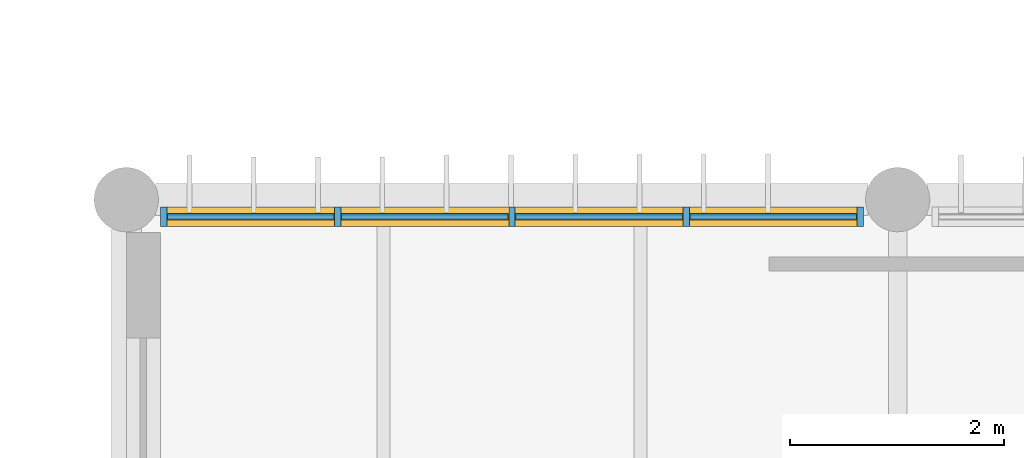
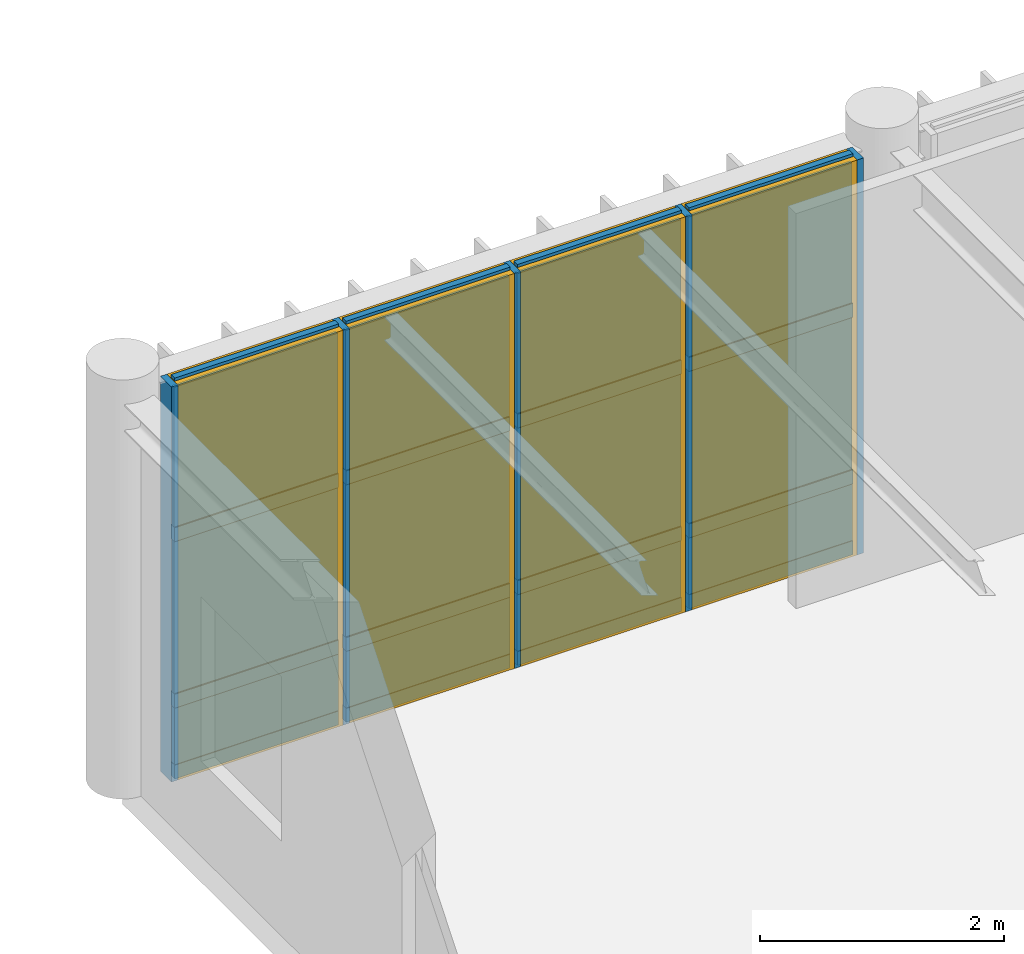
# One storey, part 59 of 104: 21 members, 12 plates, 1 curtain wall.
"""IFC4 building model written with IfcOpenShell, lengths in metres."""

import ifcopenshell
import ifcopenshell.guid

model = None  # the IFC model being written
_history = None  # IfcOwnerHistory: only IFC2X3 demands one
_inside = {}  # id of a spatial element -> (the spatial element, [elements in it])
_under = {}  # id of a project, library or spatial element -> (it, [spatial elements below it])
_declared = {}  # id of a project -> (the project, [libraries it declares])
_typed = {}  # id of a type object -> (the type object, [elements of that type])
_made_of = {}  # id of a material, layer set ... -> (it, [elements and type objects made of it])


def new_model(schema):
    """Start an empty IFC model of exactly this schema.

    Asked for "IFC4X3", IfcOpenShell would pick the latest addendum, in which some entities
    have other attributes; the version numbers below select the first issue.
    IFC2X3 requires an IfcOwnerHistory on every rooted entity: one is made here for all.
    """
    global model, _history
    if schema == "IFC4X3":
        model = ifcopenshell.file(schema_version=(4, 3, 0, 0))
    else:
        model = ifcopenshell.file(schema=schema)
    _inside.clear()
    _under.clear()
    _declared.clear()
    _typed.clear()
    _made_of.clear()
    _history = None
    if model.schema == "IFC2X3":
        org = make("IfcOrganization", Name="unknown")
        user = make(
            "IfcPersonAndOrganization",
            ThePerson=make("IfcPerson", FamilyName="unknown"),
            TheOrganization=org,
        )
        app = make(
            "IfcApplication",
            ApplicationDeveloper=org,
            Version="unknown",
            ApplicationFullName="unknown",
            ApplicationIdentifier="unknown",
        )
        _history = make(
            "IfcOwnerHistory",
            OwningUser=user,
            OwningApplication=app,
            ChangeAction="ADDED",
            CreationDate=0,
        )
    return model


def make(cls, **values):
    """One entity of the class cls with the attributes given. An attribute that is None is left unset."""
    return model.create_entity(
        cls, **{name: value for name, value in values.items() if value is not None}
    )


def rooted(cls, **values):
    """An entity with a GlobalId (a new one), such as an element, a storey or a relation."""
    return make(cls, GlobalId=ifcopenshell.guid.new(), OwnerHistory=_history, **values)


def si_unit(unit_type, name, prefix=None):
    """IfcSIUnit, for example si_unit("LENGTHUNIT", "METRE", prefix="MILLI")."""
    return make("IfcSIUnit", UnitType=unit_type, Prefix=prefix, Name=name)


def assignment(units):
    """IfcUnitAssignment: the units of a project."""
    return None if units is None else make("IfcUnitAssignment", Units=units)


def point(xyz):
    """IfcCartesianPoint."""
    return None if xyz is None else make("IfcCartesianPoint", Coordinates=xyz)


def direction(xyz):
    """IfcDirection."""
    return None if xyz is None else make("IfcDirection", DirectionRatios=xyz)


def frame(location, z_axis=None, x_axis=None):
    """IfcAxis2Placement3D, a coordinate frame: its origin and axes. An axis left out is left unset."""
    return make(
        "IfcAxis2Placement3D",
        Location=point(location),
        Axis=direction(z_axis),
        RefDirection=direction(x_axis),
    )


def frame_2d(location, x_axis=None):
    """IfcAxis2Placement2D, a coordinate frame in the plane: its origin and x axis."""
    return make(
        "IfcAxis2Placement2D", Location=point(location), RefDirection=direction(x_axis)
    )


def origin():
    """The frame at (0, 0, 0) with its axes left unset."""
    return frame((0.0, 0.0, 0.0))


def origin_2d():
    """The frame at (0, 0) in the plane with its x axis left unset."""
    return frame_2d((0.0, 0.0))


def place(relative_to, where):
    """IfcLocalPlacement: puts the frame where relative to a parent placement (None: the world)."""
    return make(
        "IfcLocalPlacement", PlacementRelTo=relative_to, RelativePlacement=where
    )


def context(
    kind, dimensions, precision=None, world=None, true_north=None, identifier=None
):
    """IfcGeometricRepresentationContext, for example the 3D "Model" context."""
    return make(
        "IfcGeometricRepresentationContext",
        ContextIdentifier=identifier,
        ContextType=kind,
        CoordinateSpaceDimension=dimensions,
        Precision=precision,
        WorldCoordinateSystem=world,
        TrueNorth=true_north,
    )


def subcontext(parent, identifier, kind, view, scale=None):
    """IfcGeometricRepresentationSubContext, for example "Body" below "Model"."""
    return make(
        "IfcGeometricRepresentationSubContext",
        ContextIdentifier=identifier,
        ContextType=kind,
        ParentContext=parent,
        TargetScale=scale,
        TargetView=view,
    )


def project(units=None, contexts=None):
    """IfcProject with its units and contexts."""
    return rooted(
        "IfcProject",
        Name="project",
        RepresentationContexts=contexts,
        UnitsInContext=assignment(units),
    )


def spatial(cls, under=None, at=None, **own):
    """A site, building, storey or space (cls), placed at a placement, below another one or the project."""
    s = rooted(cls, ObjectPlacement=at, **own)
    if under is not None:
        _under.setdefault(under.id(), (under, []))[1].append(s)
    return s


def profile(cls, at=None, kind="AREA", **sizes):
    """A parametric profile (cls). Its sizes go by their IFC names, for example OverallWidth=200.0."""
    return make(cls, ProfileType=kind, Position=at, **sizes)


def rectangle(**sizes):
    """IfcRectangleProfileDef."""
    return profile("IfcRectangleProfileDef", **sizes)


def extrude(swept, where, along, depth):
    """IfcExtrudedAreaSolid: the profile swept, set in the frame where, extruded along a direction by depth."""
    return make(
        "IfcExtrudedAreaSolid",
        SweptArea=swept,
        Position=where,
        ExtrudedDirection=direction(along),
        Depth=depth,
    )


def shape(context_of_items, identifier, shape_type, items):
    """IfcShapeRepresentation: the items that make up one representation, for example the "Body"."""
    return make(
        "IfcShapeRepresentation",
        ContextOfItems=context_of_items,
        RepresentationIdentifier=identifier,
        RepresentationType=shape_type,
        Items=items,
    )


def material(Name=None, Category=None):
    """IfcMaterial."""
    return make("IfcMaterial", Name=Name, Category=Category)


def layer(
    of_material, thickness, ventilated=None, Name=None, Category=None, Priority=None
):
    """IfcMaterialLayer: one layer of a wall or slab, of a material (None: an air gap)."""
    return make(
        "IfcMaterialLayer",
        Material=of_material,
        LayerThickness=thickness,
        IsVentilated=ventilated,
        Name=Name,
        Category=Category,
        Priority=Priority,
    )


def layer_set(layers, Name=None):
    """IfcMaterialLayerSet."""
    return make("IfcMaterialLayerSet", MaterialLayers=layers, LayerSetName=Name)


def material_profile(
    of_material, cross_section, Name=None, Category=None, Priority=None
):
    """IfcMaterialProfile: a cross section and its material."""
    return make(
        "IfcMaterialProfile",
        Name=Name,
        Material=of_material,
        Profile=cross_section,
        Priority=Priority,
        Category=Category,
    )


def profile_set(profiles, Name=None, composite=None):
    """IfcMaterialProfileSet."""
    return make(
        "IfcMaterialProfileSet",
        Name=Name,
        MaterialProfiles=profiles,
        CompositeProfile=composite,
    )


def made_of(thing, what):
    """Note that an element or type object is made of a material, layer set ...; save() writes the relation."""
    if what is not None:
        _made_of.setdefault(what.id(), (what, []))[1].append(thing)
    return thing


def type_object(cls, material=None, **own):
    """A type object (cls), such as IfcWallType, which elements share."""
    return made_of(rooted(cls, **own), material)


def element(
    cls,
    number,
    at=None,
    inside=None,
    cuts=None,
    type_object=None,
    material=None,
    context=None,
    identifier="Body",
    shape_type=None,
    held_by="IfcProductDefinitionShape",
    body=None,
    shapes=None,
    **own,
):
    """One element of the class cls, such as IfcWall. Its Tag is "e" and its number.

    at: its placement. inside: the storey or other place that contains it. cuts: it is an
    opening in that element (IfcRelVoidsElement). A single representation is given by context,
    identifier, shape_type and body (its items); several are given by shapes. held_by: the class
    of the entity that holds the representations. save() writes the other relations.
    """
    e = rooted(cls, Tag="e%d" % number, ObjectPlacement=at, **own)
    if body is not None:
        shapes = [shape(context, identifier, shape_type, body)]
    if shapes is not None:
        e.Representation = make(held_by, Representations=shapes)
    if inside is not None:
        _inside.setdefault(inside.id(), (inside, []))[1].append(e)
    if cuts is not None:
        rooted(
            "IfcRelVoidsElement", RelatingBuildingElement=cuts, RelatedOpeningElement=e
        )
    if type_object is not None:
        _typed.setdefault(type_object.id(), (type_object, []))[1].append(e)
    return made_of(e, material)


def aggregate(whole, parts):
    """IfcRelAggregates: a whole, such as a stair, and the parts it consists of."""
    return rooted("IfcRelAggregates", RelatingObject=whole, RelatedObjects=parts)


def save(model, path):
    """Write the relations noted so far, then the file.

    IfcRelAggregates (storeys below a building ...), IfcRelContainedInSpatialStructure (elements
    in a storey), IfcRelDefinesByType, IfcRelAssociatesMaterial and IfcRelDeclares: one each for
    every whole, place, type object, material and project.
    """
    for whole, parts in _under.values():
        aggregate(whole, parts)
    for where, things in _inside.values():
        rooted(
            "IfcRelContainedInSpatialStructure",
            RelatedElements=things,
            RelatingStructure=where,
        )
    for kind, things in _typed.values():
        rooted("IfcRelDefinesByType", RelatedObjects=things, RelatingType=kind)
    for what, things in _made_of.values():
        rooted("IfcRelAssociatesMaterial", RelatedObjects=things, RelatingMaterial=what)
    for by, libraries in _declared.values():
        rooted("IfcRelDeclares", RelatingContext=by, RelatedDefinitions=libraries)
    model.write(path)


model = new_model("IFC4")

# Units and contexts
model_context = context("Model", 3, precision=1e-05, world=origin(), true_north=direction((0.0, 1.0)))
body_context = subcontext(model_context, "Body", "Model", "MODEL_VIEW")
ifc_project = project(units=[si_unit("LENGTHUNIT", "METRE"), si_unit("AREAUNIT", "SQUARE_METRE"), si_unit("VOLUMEUNIT", "CUBIC_METRE"), si_unit("PLANEANGLEUNIT", "RADIAN"), si_unit("MASSUNIT", "GRAM", prefix="KILO")], contexts=[model_context])

# Member
ifc_material_1 = material(Name="Anodised Bronze Aluminium 6063-T6", Category="aluminium")
ifc_material_profile_1 = material_profile(ifc_material_1, rectangle(XDim=0.06005859375, YDim=0.179931640625, at=origin_2d()), Name="ALU MULLION 60x180")
ifc_profile_set_1 = profile_set([ifc_material_profile_1], Name="Anodised Bronze Aluminium 6063-T6")
member_type_1 = type_object("IfcMemberType", Name="Curtain-Wall Primary Mullion 60x180", PredefinedType="MULLION", material=ifc_profile_set_1)
site_placement = place(None, origin())
building_placement = place(site_placement, origin())
storey_placement = place(building_placement, frame((0.0, 0.0, 9.0)))
member_1_placement = place(storey_placement, frame((36.35009765625, 30.0400390625, 0.0), z_axis=(0.0, 0.0, 1.0), x_axis=(1.0, 0.0, 0.0)))
member_1 = element("IfcMember", 1, at=member_1_placement, type_object=member_type_1, Name="Mullion CWM-01 CW-V5-NRET-W-L02-B1-M01", PredefinedType="MULLION", context=body_context, shape_type="SweptSolid", body=[
    extrude(rectangle(XDim=0.06005859375, YDim=0.179931640625, at=origin_2d()), origin(), (0.0, 0.0, 1.0), 3.9599609375),
])

member_2_placement = place(storey_placement, frame((37.97509765625, 30.0400390625, 0.0), z_axis=(0.0, 0.0, 1.0), x_axis=(1.0, 0.0, 0.0)))
member_2 = element("IfcMember", 2, at=member_2_placement, type_object=member_type_1, Name="Mullion CWM-01 CW-V5-NRET-W-L02-B1-M02", PredefinedType="MULLION", context=body_context, shape_type="SweptSolid", body=[
    extrude(rectangle(XDim=0.06005859375, YDim=0.179931640625, at=origin_2d()), origin(), (0.0, 0.0, 1.0), 3.9599609375),
])

member_3_placement = place(storey_placement, frame((39.60009765625, 30.0400390625, 0.0), z_axis=(0.0, 0.0, 1.0), x_axis=(1.0, 0.0, 0.0)))
member_3 = element("IfcMember", 3, at=member_3_placement, type_object=member_type_1, Name="Mullion CWM-01 CW-V5-NRET-W-L02-B1-M03", PredefinedType="MULLION", context=body_context, shape_type="SweptSolid", body=[
    extrude(rectangle(XDim=0.06005859375, YDim=0.179931640625, at=origin_2d()), origin(), (0.0, 0.0, 1.0), 3.9599609375),
])

member_4_placement = place(storey_placement, frame((41.22509765625, 30.0400390625, 0.0), z_axis=(0.0, 0.0, 1.0), x_axis=(1.0, 0.0, 0.0)))
member_4 = element("IfcMember", 4, at=member_4_placement, type_object=member_type_1, Name="Mullion CWM-01 CW-V5-NRET-W-L02-B1-M04", PredefinedType="MULLION", context=body_context, shape_type="SweptSolid", body=[
    extrude(rectangle(XDim=0.06005859375, YDim=0.179931640625, at=origin_2d()), origin(), (0.0, 0.0, 1.0), 3.9599609375),
])

member_5_placement = place(storey_placement, frame((42.85009765625, 30.0400390625, 0.0), z_axis=(0.0, 0.0, 1.0), x_axis=(1.0, 0.0, 0.0)))
member_5 = element("IfcMember", 5, at=member_5_placement, type_object=member_type_1, Name="Mullion CWM-01 CW-V5-NRET-W-L02-B1-M05", PredefinedType="MULLION", context=body_context, shape_type="SweptSolid", body=[
    extrude(rectangle(XDim=0.06005859375, YDim=0.179931640625, at=origin_2d()), origin(), (0.0, 0.0, 1.0), 3.9599609375),
])

ifc_material_profile_2 = material_profile(ifc_material_1, rectangle(XDim=0.06005859375, YDim=0.139892578125, at=origin_2d()), Name="ALU TRANSOM 60x140")
ifc_profile_set_2 = profile_set([ifc_material_profile_2], Name="Anodised Bronze Aluminium 6063-T6")
member_type_2 = type_object("IfcMemberType", Name="Curtain-Wall Transom 60x140", PredefinedType="USERDEFINED", material=ifc_profile_set_2)
member_6_placement = place(storey_placement, frame((36.385009765625, 30.0400390625, 0.0400390625), z_axis=(1.0, 0.0, 0.0), x_axis=(0.0, 1.0, 0.0)))
member_6 = element("IfcMember", 6, at=member_6_placement, type_object=member_type_2, Name="Transom CWT-01 CW-V5-NRET-W-L02-B1-T01.1", ObjectType="TRANSOM", PredefinedType="USERDEFINED", context=body_context, shape_type="SweptSolid", body=[
    extrude(rectangle(XDim=0.06005859375, YDim=0.139892578125, at=origin_2d()), origin(), (0.0, 0.0, 1.0), 1.554931640625),
])

member_7_placement = place(storey_placement, frame((36.385009765625, 30.0400390625, 0.75), z_axis=(1.0, 0.0, 0.0), x_axis=(0.0, 1.0, 0.0)))
member_7 = element("IfcMember", 7, at=member_7_placement, type_object=member_type_2, Name="Transom CWT-01 CW-V5-NRET-W-L02-B1-T01.2", ObjectType="TRANSOM", PredefinedType="USERDEFINED", context=body_context, shape_type="SweptSolid", body=[
    extrude(rectangle(XDim=0.06005859375, YDim=0.139892578125, at=origin_2d()), origin(), (0.0, 0.0, 1.0), 1.554931640625),
])

member_8_placement = place(storey_placement, frame((36.385009765625, 30.0400390625, 2.419189453125), z_axis=(1.0, 0.0, 0.0), x_axis=(0.0, 1.0, 0.0)))
member_8 = element("IfcMember", 8, at=member_8_placement, type_object=member_type_2, Name="Transom CWT-01 CW-V5-NRET-W-L02-B1-T01.3", ObjectType="TRANSOM", PredefinedType="USERDEFINED", context=body_context, shape_type="SweptSolid", body=[
    extrude(rectangle(XDim=0.06005859375, YDim=0.139892578125, at=origin_2d()), origin(), (0.0, 0.0, 1.0), 1.554931640625),
])

member_9_placement = place(storey_placement, frame((36.385009765625, 30.0400390625, 3.919921875), z_axis=(1.0, 0.0, 0.0), x_axis=(0.0, 1.0, 0.0)))
member_9 = element("IfcMember", 9, at=member_9_placement, type_object=member_type_2, Name="Transom CWT-01 CW-V5-NRET-W-L02-B1-T01.4", ObjectType="TRANSOM", PredefinedType="USERDEFINED", context=body_context, shape_type="SweptSolid", body=[
    extrude(rectangle(XDim=0.06005859375, YDim=0.139892578125, at=origin_2d()), origin(), (0.0, 0.0, 1.0), 1.554931640625),
])

member_10_placement = place(storey_placement, frame((38.010009765625, 30.0400390625, 0.0400390625), z_axis=(1.0, 0.0, 0.0), x_axis=(0.0, 1.0, 0.0)))
member_10 = element("IfcMember", 10, at=member_10_placement, type_object=member_type_2, Name="Transom CWT-01 CW-V5-NRET-W-L02-B1-T02.1", ObjectType="TRANSOM", PredefinedType="USERDEFINED", context=body_context, shape_type="SweptSolid", body=[
    extrude(rectangle(XDim=0.06005859375, YDim=0.139892578125, at=origin_2d()), origin(), (0.0, 0.0, 1.0), 1.554931640625),
])

member_11_placement = place(storey_placement, frame((38.010009765625, 30.0400390625, 0.75), z_axis=(1.0, 0.0, 0.0), x_axis=(0.0, 1.0, 0.0)))
member_11 = element("IfcMember", 11, at=member_11_placement, type_object=member_type_2, Name="Transom CWT-01 CW-V5-NRET-W-L02-B1-T02.2", ObjectType="TRANSOM", PredefinedType="USERDEFINED", context=body_context, shape_type="SweptSolid", body=[
    extrude(rectangle(XDim=0.06005859375, YDim=0.139892578125, at=origin_2d()), origin(), (0.0, 0.0, 1.0), 1.554931640625),
])

member_12_placement = place(storey_placement, frame((38.010009765625, 30.0400390625, 2.419189453125), z_axis=(1.0, 0.0, 0.0), x_axis=(0.0, 1.0, 0.0)))
member_12 = element("IfcMember", 12, at=member_12_placement, type_object=member_type_2, Name="Transom CWT-01 CW-V5-NRET-W-L02-B1-T02.3", ObjectType="TRANSOM", PredefinedType="USERDEFINED", context=body_context, shape_type="SweptSolid", body=[
    extrude(rectangle(XDim=0.06005859375, YDim=0.139892578125, at=origin_2d()), origin(), (0.0, 0.0, 1.0), 1.554931640625),
])

member_13_placement = place(storey_placement, frame((38.010009765625, 30.0400390625, 3.919921875), z_axis=(1.0, 0.0, 0.0), x_axis=(0.0, 1.0, 0.0)))
member_13 = element("IfcMember", 13, at=member_13_placement, type_object=member_type_2, Name="Transom CWT-01 CW-V5-NRET-W-L02-B1-T02.4", ObjectType="TRANSOM", PredefinedType="USERDEFINED", context=body_context, shape_type="SweptSolid", body=[
    extrude(rectangle(XDim=0.06005859375, YDim=0.139892578125, at=origin_2d()), origin(), (0.0, 0.0, 1.0), 1.554931640625),
])

member_14_placement = place(storey_placement, frame((39.635009765625, 30.0400390625, 0.0400390625), z_axis=(1.0, 0.0, 0.0), x_axis=(0.0, 1.0, 0.0)))
member_14 = element("IfcMember", 14, at=member_14_placement, type_object=member_type_2, Name="Transom CWT-01 CW-V5-NRET-W-L02-B1-T03.1", ObjectType="TRANSOM", PredefinedType="USERDEFINED", context=body_context, shape_type="SweptSolid", body=[
    extrude(rectangle(XDim=0.06005859375, YDim=0.139892578125, at=origin_2d()), origin(), (0.0, 0.0, 1.0), 1.554931640625),
])

member_15_placement = place(storey_placement, frame((39.635009765625, 30.0400390625, 0.75), z_axis=(1.0, 0.0, 0.0), x_axis=(0.0, 1.0, 0.0)))
member_15 = element("IfcMember", 15, at=member_15_placement, type_object=member_type_2, Name="Transom CWT-01 CW-V5-NRET-W-L02-B1-T03.2", ObjectType="TRANSOM", PredefinedType="USERDEFINED", context=body_context, shape_type="SweptSolid", body=[
    extrude(rectangle(XDim=0.06005859375, YDim=0.139892578125, at=origin_2d()), origin(), (0.0, 0.0, 1.0), 1.554931640625),
])

member_16_placement = place(storey_placement, frame((39.635009765625, 30.0400390625, 2.419189453125), z_axis=(1.0, 0.0, 0.0), x_axis=(0.0, 1.0, 0.0)))
member_16 = element("IfcMember", 16, at=member_16_placement, type_object=member_type_2, Name="Transom CWT-01 CW-V5-NRET-W-L02-B1-T03.3", ObjectType="TRANSOM", PredefinedType="USERDEFINED", context=body_context, shape_type="SweptSolid", body=[
    extrude(rectangle(XDim=0.06005859375, YDim=0.139892578125, at=origin_2d()), origin(), (0.0, 0.0, 1.0), 1.554931640625),
])

member_17_placement = place(storey_placement, frame((39.635009765625, 30.0400390625, 3.919921875), z_axis=(1.0, 0.0, 0.0), x_axis=(0.0, 1.0, 0.0)))
member_17 = element("IfcMember", 17, at=member_17_placement, type_object=member_type_2, Name="Transom CWT-01 CW-V5-NRET-W-L02-B1-T03.4", ObjectType="TRANSOM", PredefinedType="USERDEFINED", context=body_context, shape_type="SweptSolid", body=[
    extrude(rectangle(XDim=0.06005859375, YDim=0.139892578125, at=origin_2d()), origin(), (0.0, 0.0, 1.0), 1.554931640625),
])

member_18_placement = place(storey_placement, frame((41.260009765625, 30.0400390625, 0.0400390625), z_axis=(1.0, 0.0, 0.0), x_axis=(0.0, 1.0, 0.0)))
member_18 = element("IfcMember", 18, at=member_18_placement, type_object=member_type_2, Name="Transom CWT-01 CW-V5-NRET-W-L02-B1-T04.1", ObjectType="TRANSOM", PredefinedType="USERDEFINED", context=body_context, shape_type="SweptSolid", body=[
    extrude(rectangle(XDim=0.06005859375, YDim=0.139892578125, at=origin_2d()), origin(), (0.0, 0.0, 1.0), 1.554931640625),
])

member_19_placement = place(storey_placement, frame((41.260009765625, 30.0400390625, 0.75), z_axis=(1.0, 0.0, 0.0), x_axis=(0.0, 1.0, 0.0)))
member_19 = element("IfcMember", 19, at=member_19_placement, type_object=member_type_2, Name="Transom CWT-01 CW-V5-NRET-W-L02-B1-T04.2", ObjectType="TRANSOM", PredefinedType="USERDEFINED", context=body_context, shape_type="SweptSolid", body=[
    extrude(rectangle(XDim=0.06005859375, YDim=0.139892578125, at=origin_2d()), origin(), (0.0, 0.0, 1.0), 1.554931640625),
])

member_20_placement = place(storey_placement, frame((41.260009765625, 30.0400390625, 2.419189453125), z_axis=(1.0, 0.0, 0.0), x_axis=(0.0, 1.0, 0.0)))
member_20 = element("IfcMember", 20, at=member_20_placement, type_object=member_type_2, Name="Transom CWT-01 CW-V5-NRET-W-L02-B1-T04.3", ObjectType="TRANSOM", PredefinedType="USERDEFINED", context=body_context, shape_type="SweptSolid", body=[
    extrude(rectangle(XDim=0.06005859375, YDim=0.139892578125, at=origin_2d()), origin(), (0.0, 0.0, 1.0), 1.554931640625),
])

member_21_placement = place(storey_placement, frame((41.260009765625, 30.0400390625, 3.919921875), z_axis=(1.0, 0.0, 0.0), x_axis=(0.0, 1.0, 0.0)))
member_21 = element("IfcMember", 21, at=member_21_placement, type_object=member_type_2, Name="Transom CWT-01 CW-V5-NRET-W-L02-B1-T04.4", ObjectType="TRANSOM", PredefinedType="USERDEFINED", context=body_context, shape_type="SweptSolid", body=[
    extrude(rectangle(XDim=0.06005859375, YDim=0.139892578125, at=origin_2d()), origin(), (0.0, 0.0, 1.0), 1.554931640625),
])

# Plate
ifc_material_2 = material(Name="Insulated Bronze Aluminium Spandrel Panel", Category="aluminium")
ifc_layer_1 = layer(ifc_material_2, 0.050048828125, Name="Insulated Bronze Aluminium Spandrel Panel")
ifc_layer_set_1 = layer_set([ifc_layer_1], Name="Insulated Bronze Aluminium Spandrel Panel")
plate_type_1 = type_object("IfcPlateType", Name="Insulated Anodised Aluminium Spandrel Cassette 50", PredefinedType="CURTAIN_PANEL", material=ifc_layer_set_1)
plate_1_placement = place(storey_placement, frame((37.16259765625, 30.0400390625, 0.070068359375), z_axis=(0.0, 0.0, 1.0), x_axis=(1.0, 0.0, 0.0)))
plate_1 = element("IfcPlate", 22, at=plate_1_placement, type_object=plate_type_1, Name="Curtain Panel CWP-03 CW-V5-NRET-W-L02-B1-P01.1", PredefinedType="CURTAIN_PANEL", context=body_context, shape_type="SweptSolid", body=[
    extrude(rectangle(XDim=1.554931640625, YDim=0.050048828125, at=origin_2d()), origin(), (0.0, 0.0, 1.0), 0.64990234375),
])

plate_2_placement = place(storey_placement, frame((38.78759765625, 30.0400390625, 0.070068359375), z_axis=(0.0, 0.0, 1.0), x_axis=(1.0, 0.0, 0.0)))
plate_2 = element("IfcPlate", 23, at=plate_2_placement, type_object=plate_type_1, Name="Curtain Panel CWP-03 CW-V5-NRET-W-L02-B1-P02.1", PredefinedType="CURTAIN_PANEL", context=body_context, shape_type="SweptSolid", body=[
    extrude(rectangle(XDim=1.554931640625, YDim=0.050048828125, at=origin_2d()), origin(), (0.0, 0.0, 1.0), 0.64990234375),
])

plate_3_placement = place(storey_placement, frame((40.41259765625, 30.0400390625, 0.070068359375), z_axis=(0.0, 0.0, 1.0), x_axis=(1.0, 0.0, 0.0)))
plate_3 = element("IfcPlate", 24, at=plate_3_placement, type_object=plate_type_1, Name="Curtain Panel CWP-03 CW-V5-NRET-W-L02-B1-P03.1", PredefinedType="CURTAIN_PANEL", context=body_context, shape_type="SweptSolid", body=[
    extrude(rectangle(XDim=1.554931640625, YDim=0.050048828125, at=origin_2d()), origin(), (0.0, 0.0, 1.0), 0.64990234375),
])

plate_4_placement = place(storey_placement, frame((42.03759765625, 30.0400390625, 0.070068359375), z_axis=(0.0, 0.0, 1.0), x_axis=(1.0, 0.0, 0.0)))
plate_4 = element("IfcPlate", 25, at=plate_4_placement, type_object=plate_type_1, Name="Curtain Panel CWP-03 CW-V5-NRET-W-L02-B1-P04.1", PredefinedType="CURTAIN_PANEL", context=body_context, shape_type="SweptSolid", body=[
    extrude(rectangle(XDim=1.554931640625, YDim=0.050048828125, at=origin_2d()), origin(), (0.0, 0.0, 1.0), 0.64990234375),
])

ifc_material_3 = material(Name="Solar-Control Tempered Double Glazing", Category="glass")
ifc_layer_2 = layer(ifc_material_3, 0.0380859375, Name="Solar-Control Tempered Double Glazing")
ifc_layer_set_2 = layer_set([ifc_layer_2], Name="Solar-Control Tempered Double Glazing")
plate_type_2 = type_object("IfcPlateType", Name="Solar-Control Vision Glazing Unit 38", PredefinedType="CURTAIN_PANEL", material=ifc_layer_set_2)
plate_5_placement = place(storey_placement, frame((37.16259765625, 30.0400390625, 0.7802734375), z_axis=(0.0, 0.0, 1.0), x_axis=(1.0, 0.0, 0.0)))
plate_5 = element("IfcPlate", 26, at=plate_5_placement, type_object=plate_type_2, Name="Curtain Panel CWP-02 CW-V5-NRET-W-L02-B1-P01.2", PredefinedType="CURTAIN_PANEL", context=body_context, shape_type="SweptSolid", body=[
    extrude(rectangle(XDim=1.554931640625, YDim=0.0380859375, at=origin_2d()), origin(), (0.0, 0.0, 1.0), 1.609130859375),
])

plate_6_placement = place(storey_placement, frame((37.16259765625, 30.0400390625, 2.44921875), z_axis=(0.0, 0.0, 1.0), x_axis=(1.0, 0.0, 0.0)))
plate_6 = element("IfcPlate", 27, at=plate_6_placement, type_object=plate_type_2, Name="Curtain Panel CWP-02 CW-V5-NRET-W-L02-B1-P01.3", PredefinedType="CURTAIN_PANEL", context=body_context, shape_type="SweptSolid", body=[
    extrude(rectangle(XDim=1.554931640625, YDim=0.0380859375, at=origin_2d()), origin(), (0.0, 0.0, 1.0), 1.44091796875),
])

plate_7_placement = place(storey_placement, frame((38.78759765625, 30.0400390625, 0.7802734375), z_axis=(0.0, 0.0, 1.0), x_axis=(1.0, 0.0, 0.0)))
plate_7 = element("IfcPlate", 28, at=plate_7_placement, type_object=plate_type_2, Name="Curtain Panel CWP-02 CW-V5-NRET-W-L02-B1-P02.2", PredefinedType="CURTAIN_PANEL", context=body_context, shape_type="SweptSolid", body=[
    extrude(rectangle(XDim=1.554931640625, YDim=0.0380859375, at=origin_2d()), origin(), (0.0, 0.0, 1.0), 1.609130859375),
])

plate_8_placement = place(storey_placement, frame((38.78759765625, 30.0400390625, 2.44921875), z_axis=(0.0, 0.0, 1.0), x_axis=(1.0, 0.0, 0.0)))
plate_8 = element("IfcPlate", 29, at=plate_8_placement, type_object=plate_type_2, Name="Curtain Panel CWP-02 CW-V5-NRET-W-L02-B1-P02.3", PredefinedType="CURTAIN_PANEL", context=body_context, shape_type="SweptSolid", body=[
    extrude(rectangle(XDim=1.554931640625, YDim=0.0380859375, at=origin_2d()), origin(), (0.0, 0.0, 1.0), 1.44091796875),
])

plate_9_placement = place(storey_placement, frame((40.41259765625, 30.0400390625, 0.7802734375), z_axis=(0.0, 0.0, 1.0), x_axis=(1.0, 0.0, 0.0)))
plate_9 = element("IfcPlate", 30, at=plate_9_placement, type_object=plate_type_2, Name="Curtain Panel CWP-02 CW-V5-NRET-W-L02-B1-P03.2", PredefinedType="CURTAIN_PANEL", context=body_context, shape_type="SweptSolid", body=[
    extrude(rectangle(XDim=1.554931640625, YDim=0.0380859375, at=origin_2d()), origin(), (0.0, 0.0, 1.0), 1.609130859375),
])

plate_10_placement = place(storey_placement, frame((40.41259765625, 30.0400390625, 2.44921875), z_axis=(0.0, 0.0, 1.0), x_axis=(1.0, 0.0, 0.0)))
plate_10 = element("IfcPlate", 31, at=plate_10_placement, type_object=plate_type_2, Name="Curtain Panel CWP-02 CW-V5-NRET-W-L02-B1-P03.3", PredefinedType="CURTAIN_PANEL", context=body_context, shape_type="SweptSolid", body=[
    extrude(rectangle(XDim=1.554931640625, YDim=0.0380859375, at=origin_2d()), origin(), (0.0, 0.0, 1.0), 1.44091796875),
])

plate_11_placement = place(storey_placement, frame((42.03759765625, 30.0400390625, 0.7802734375), z_axis=(0.0, 0.0, 1.0), x_axis=(1.0, 0.0, 0.0)))
plate_11 = element("IfcPlate", 32, at=plate_11_placement, type_object=plate_type_2, Name="Curtain Panel CWP-02 CW-V5-NRET-W-L02-B1-P04.2", PredefinedType="CURTAIN_PANEL", context=body_context, shape_type="SweptSolid", body=[
    extrude(rectangle(XDim=1.554931640625, YDim=0.0380859375, at=origin_2d()), origin(), (0.0, 0.0, 1.0), 1.609130859375),
])

plate_12_placement = place(storey_placement, frame((42.03759765625, 30.0400390625, 2.44921875), z_axis=(0.0, 0.0, 1.0), x_axis=(1.0, 0.0, 0.0)))
plate_12 = element("IfcPlate", 33, at=plate_12_placement, type_object=plate_type_2, Name="Curtain Panel CWP-02 CW-V5-NRET-W-L02-B1-P04.3", PredefinedType="CURTAIN_PANEL", context=body_context, shape_type="SweptSolid", body=[
    extrude(rectangle(XDim=1.554931640625, YDim=0.0380859375, at=origin_2d()), origin(), (0.0, 0.0, 1.0), 1.44091796875),
])

# Site, building, storey
site = spatial("IfcSite", under=ifc_project, at=site_placement, CompositionType="ELEMENT")
building = spatial("IfcBuilding", under=site, at=building_placement, Name="Tazoul Stagehouse", CompositionType="ELEMENT")
storey = spatial("IfcBuildingStorey", under=building, at=storey_placement, Name="L02", CompositionType="ELEMENT", Elevation=9.0)

# Curtain wall
curtain_wall_type = type_object("IfcCurtainWallType", Name="Foyer Clear Solar-Control Curtain Wall", PredefinedType="NOTDEFINED", material=ifc_material_1)
curtain_wall_placement = place(storey_placement, frame((36.35009765625, 30.0400390625, 0.0), z_axis=(0.0, 0.0, 1.0), x_axis=(1.0, 0.0, 0.0)))
curtain_wall = element("IfcCurtainWall", 34, at=curtain_wall_placement, inside=storey, type_object=curtain_wall_type, Name="L02 Curtain Wall CW-02 (CW-V5-NRET-W-L02-B1)", PredefinedType="NOTDEFINED", context=body_context, shape_type="SweptSolid", body=[
    extrude(rectangle(XDim=6.5, YDim=0.179931640625, at=frame_2d((3.25, 0.0))), origin(), (0.0, 0.0, 1.0), 3.9599609375),
])

aggregate(curtain_wall, [member_1, member_2, member_3, member_4, member_5, member_6, member_7, member_8, member_9, plate_1, plate_5, plate_6, member_10, member_11, member_12, member_13, plate_2, plate_7, plate_8, member_14, member_15, member_16, member_17, plate_3, plate_9, plate_10, member_18, member_19, member_20, member_21, plate_4, plate_11, plate_12])

save(model, "model.ifc")
